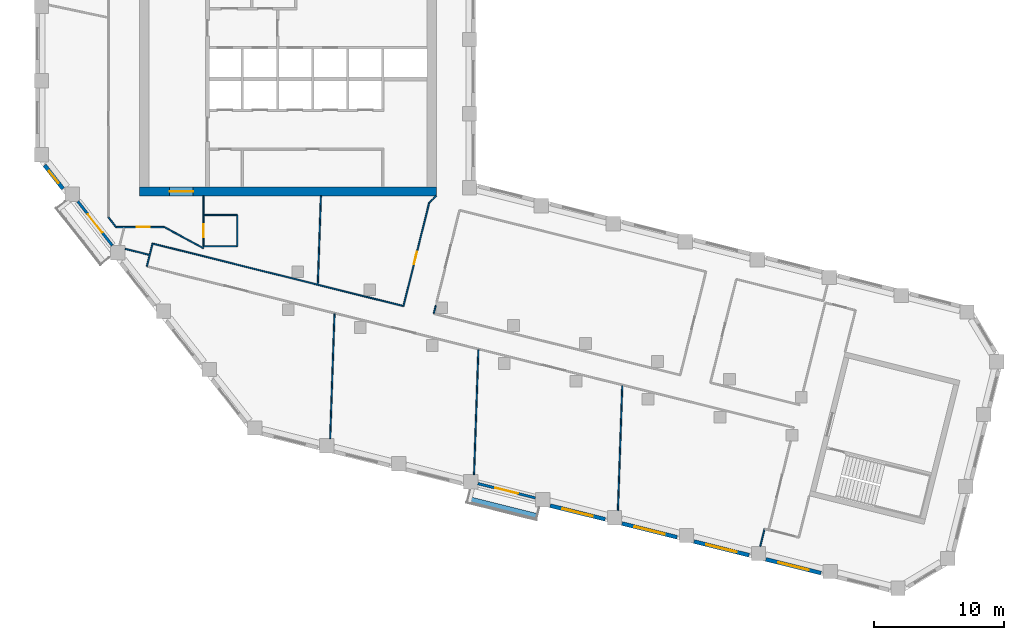
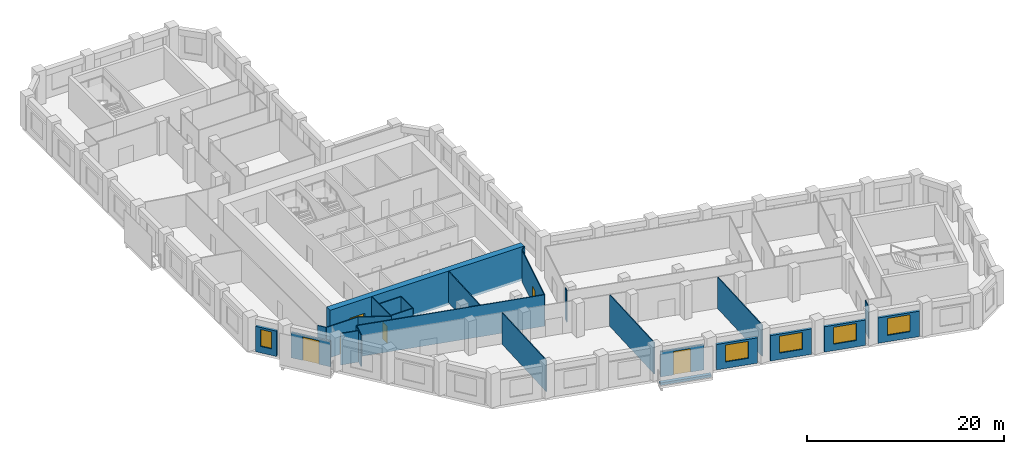
# One storey, part 3 of 10: 27 walls, 6 doors, 5 windows, 11 openings.
"""IFC4 building model written with IfcOpenShell, lengths in metres."""

from ifc_helpers import new_model, si_unit, direction, frame, frame_2d, origin, place, context, subcontext, project, spatial, rectangle, extrude, material, layer, layer_set, type_object, element, fill, save


model = new_model("IFC4")

# Units and contexts
model_context = context("Model", 3, precision=1e-05, world=origin(), true_north=direction((0.0, 1.0)))
body_context = subcontext(model_context, "Body", "Model", "MODEL_VIEW")
ifc_project = project(units=[si_unit("LENGTHUNIT", "METRE"), si_unit("AREAUNIT", "SQUARE_METRE"), si_unit("VOLUMEUNIT", "CUBIC_METRE"), si_unit("PLANEANGLEUNIT", "RADIAN"), si_unit("MASSUNIT", "GRAM", prefix="KILO")], contexts=[model_context])

# Site, building, storey
site_placement = place(None, origin())
site = spatial("IfcSite", under=ifc_project, at=site_placement, CompositionType="ELEMENT")
building_placement = place(site_placement, origin())
building = spatial("IfcBuilding", under=site, at=building_placement, Name="Meshkara Civic Tower", CompositionType="ELEMENT")
storey_placement = place(building_placement, frame((0.0, 0.0, 255.0)))
storey = spatial("IfcBuildingStorey", under=building, at=storey_placement, Name="L58", CompositionType="ELEMENT", Elevation=255.0)

# Wall, opening, door
ifc_material_1 = material(Name="Concrete C60", Category="concrete")
ifc_layer_1 = layer(ifc_material_1, 0.699951171875)
ifc_layer_set_1 = layer_set([ifc_layer_1], Name="Core ring wall 700 C60")
wall_type_1 = type_object("IfcWallType", Name="Core ring wall 700 C60", PredefinedType="SHEAR", material=ifc_layer_set_1)
wall_1_placement = place(storey_placement, frame((8.0, 14.449951171875, -0.300048828125), z_axis=(0.0, 0.0, 1.0), x_axis=(1.0, 0.0, 0.0)))
wall_1 = element("IfcWall", 1, at=wall_1_placement, inside=storey, type_object=wall_type_1, Name="L58-C001", PredefinedType="SHEAR", context=body_context, shape_type="SweptSolid", body=[
    extrude(rectangle(XDim=22.800048828125, YDim=0.699951171875, at=frame_2d((11.39990234375, 0.0))), origin(), (0.0, 0.0, 1.0), 4.199951171875),
])
opening_1_placement = place(wall_1_placement, frame((2.300048828125, 0.0, 0.300048828125)))
opening_1 = element("IfcOpeningElement", 2, at=opening_1_placement, cuts=wall_1, Name="Opening L58-K021", PredefinedType="OPENING", context=body_context, shape_type="SweptSolid", body=[
    extrude(rectangle(XDim=1.800048828125, YDim=2.10009765625, at=frame_2d((0.89990234375, 1.050048828125))), frame((0.0, 0.35986328125, 0.0), z_axis=(0.0, -1.0, 0.0), x_axis=(1.0, 0.0, 0.0)), (0.0, 0.0, 1.0), 0.719970703125),
])
ifc_material_2 = material(Name="Fire-rated door leaf in steel frame", Category="steel")
door_type_1 = type_object("IfcDoorType", Name="Core double door 1800 EI 60", OperationType="DOUBLE_DOOR_SINGLE_SWING", PredefinedType="DOOR", material=ifc_material_2)
door_1_placement = place(opening_1_placement, origin())
door_1 = element("IfcDoor", 3, at=door_1_placement, inside=storey, type_object=door_type_1, Name="L58-K021", OperationType="DOUBLE_DOOR_SINGLE_SWING", OverallHeight=2.10009765625, OverallWidth=1.800048828125, PredefinedType="DOOR", context=body_context, shape_type="SweptSolid", body=[
    extrude(rectangle(XDim=1.800048828125, YDim=2.10009765625, at=frame_2d((0.89990234375, 1.050048828125))), frame((0.0, 0.02490234375, 0.0), z_axis=(0.0, -1.0, 0.0), x_axis=(1.0, 0.0, 0.0)), (0.0, 0.0, 1.0), 0.050048828125),
])
fill(opening_1, door_1)

# Wall
ifc_material_3 = material(Name="Corridor wall 100")
ifc_layer_2 = layer(ifc_material_3, 0.10009765625)
ifc_layer_set_2 = layer_set([ifc_layer_2], Name="Corridor wall 100")
wall_type_2 = type_object("IfcWallType", Name="Corridor wall 100", PredefinedType="PARTITIONING", material=ifc_layer_set_2)
wall_2_placement = place(storey_placement, frame((5.60009765625, 12.449951171875, 0.0), z_axis=(0.0, 0.0, 1.0), x_axis=(0.615644041972, -0.788024373725, 0.0)))
element("IfcWall", 4, at=wall_2_placement, inside=storey, type_object=wall_type_2, Name="L58-W003", PredefinedType="PARTITIONING", context=body_context, shape_type="SweptSolid", body=[
    extrude(rectangle(XDim=0.95166015625, YDim=0.10009765625, at=frame_2d((0.475830078125, 0.0))), origin(), (0.0, 0.0, 1.0), 3.89990234375),
])

# Wall, opening, door
wall_3_placement = place(storey_placement, frame((6.18603515625, 11.699951171875, 0.0), z_axis=(0.0, 0.0, 1.0), x_axis=(1.0, 0.0, 0.0)))
wall_3 = element("IfcWall", 5, at=wall_3_placement, inside=storey, type_object=wall_type_2, Name="L58-W006", PredefinedType="PARTITIONING", context=body_context, shape_type="SweptSolid", body=[
    extrude(rectangle(XDim=3.7138671875, YDim=0.10009765625, at=frame_2d((1.85693359375, 0.0))), origin(), (0.0, 0.0, 1.0), 3.89990234375),
])
opening_2_placement = place(wall_3_placement, frame((1.591064453125, 0.0, 0.0)))
opening_2 = element("IfcOpeningElement", 6, at=opening_2_placement, cuts=wall_3, Name="Opening L58-D008", PredefinedType="OPENING", context=body_context, shape_type="SweptSolid", body=[
    extrude(rectangle(XDim=1.0, YDim=2.10009765625, at=frame_2d((0.5, 1.050048828125))), frame((0.0, 0.06005859375, 0.0), z_axis=(0.0, -1.0, 0.0), x_axis=(1.0, 0.0, 0.0)), (0.0, 0.0, 1.0), 0.1201171875),
])
ifc_material_4 = material(Name="Door 1000 x 2100")
door_type_2 = type_object("IfcDoorType", Name="Door 1000 x 2100", OperationType="SINGLE_SWING_LEFT", PredefinedType="DOOR", material=ifc_material_4)
door_2_placement = place(opening_2_placement, origin())
door_2 = element("IfcDoor", 7, at=door_2_placement, inside=storey, type_object=door_type_2, Name="L58-D008", OperationType="SINGLE_SWING_RIGHT", OverallHeight=2.10009765625, OverallWidth=1.0, PredefinedType="DOOR", context=body_context, shape_type="SweptSolid", body=[
    extrude(rectangle(XDim=1.0, YDim=2.10009765625, at=frame_2d((0.5, 1.050048828125))), frame((0.0, 0.02490234375, 0.0), z_axis=(0.0, -1.0, 0.0), x_axis=(1.0, 0.0, 0.0)), (0.0, 0.0, 1.0), 0.050048828125),
])
fill(opening_2, door_2)

# Walls
wall_4_placement = place(storey_placement, frame((8.988037109375, 10.43994140625, 0.0), z_axis=(0.0, 0.0, 1.0), x_axis=(0.970301223092, -0.241899848006, 0.0)))
element("IfcWall", 8, at=wall_4_placement, inside=storey, type_object=wall_type_2, Name="L58-W009", PredefinedType="PARTITIONING", context=body_context, shape_type="SweptSolid", body=[
    extrude(rectangle(XDim=19.87939453125, YDim=0.10009765625, at=frame_2d((9.939697265625, 0.0))), origin(), (0.0, 0.0, 1.0), 3.89990234375),
])
wall_5_placement = place(storey_placement, frame((8.988037109375, 10.43994140625, 0.0), z_axis=(0.0, 0.0, 1.0), x_axis=(-0.242154485745, -0.970237705428, 0.0)))
element("IfcWall", 9, at=wall_5_placement, inside=storey, type_object=wall_type_2, Name="L58-W010", PredefinedType="PARTITIONING", context=body_context, shape_type="SweptSolid", body=[
    extrude(rectangle(XDim=1.80859375, YDim=0.10009765625, at=frame_2d((0.904296875, 0.0))), origin(), (0.0, 0.0, 1.0), 3.89990234375),
])
wall_6_placement = place(storey_placement, frame((9.89990234375, 11.699951171875, 0.0), z_axis=(0.0, 0.0, 1.0), x_axis=(0.87965147249, -0.475618846291, 0.0)))
element("IfcWall", 10, at=wall_6_placement, inside=storey, type_object=wall_type_2, Name="L58-W011", PredefinedType="PARTITIONING", context=body_context, shape_type="SweptSolid", body=[
    extrude(rectangle(XDim=3.410400390625, YDim=0.10009765625, at=frame_2d((1.705078125, 0.0))), origin(), (0.0, 0.0, 1.0), 3.89990234375),
])

# Wall, opening, door
wall_7_placement = place(storey_placement, frame((12.89990234375, 10.22802734375, 0.0), z_axis=(0.0, 0.0, 1.0), x_axis=(0.0, 1.0, 0.0)))
wall_7 = element("IfcWall", 11, at=wall_7_placement, inside=storey, type_object=wall_type_2, Name="L58-W016", PredefinedType="PARTITIONING", context=body_context, shape_type="SweptSolid", body=[
    extrude(rectangle(XDim=3.8720703125, YDim=0.10009765625, at=frame_2d((1.93603515625, 0.0))), origin(), (0.0, 0.0, 1.0), 3.89990234375),
])
opening_3_placement = place(wall_7_placement, frame((0.679931640625, 0.0, 0.0)))
opening_3 = element("IfcOpeningElement", 12, at=opening_3_placement, cuts=wall_7, Name="Opening L58-D009", PredefinedType="OPENING", context=body_context, shape_type="SweptSolid", body=[
    extrude(rectangle(XDim=1.0, YDim=2.10009765625, at=frame_2d((0.5, 1.050048828125))), frame((0.0, 0.06005859375, 0.0), z_axis=(0.0, -1.0, 0.0), x_axis=(1.0, 0.0, 0.0)), (0.0, 0.0, 1.0), 0.1201171875),
])
door_3_placement = place(opening_3_placement, origin())
door_3 = element("IfcDoor", 13, at=door_3_placement, inside=storey, type_object=door_type_2, Name="L58-D009", OperationType="SINGLE_SWING_RIGHT", OverallHeight=2.10009765625, OverallWidth=1.0, PredefinedType="DOOR", context=body_context, shape_type="SweptSolid", body=[
    extrude(rectangle(XDim=1.0, YDim=2.10009765625, at=frame_2d((0.5, 1.050048828125))), frame((0.0, 0.02490234375, 0.0), z_axis=(0.0, -1.0, 0.0), x_axis=(1.0, 0.0, 0.0)), (0.0, 0.0, 1.0), 0.050048828125),
])
fill(opening_3, door_3)

wall_8_placement = place(storey_placement, frame((30.259033203125, 13.5830078125, 0.0), z_axis=(0.0, 0.0, 1.0), x_axis=(-0.241841612879, -0.970315739479, 0.0)))
wall_8 = element("IfcWall", 14, at=wall_8_placement, inside=storey, type_object=wall_type_2, Name="L58-W026", PredefinedType="PARTITIONING", context=body_context, shape_type="SweptSolid", body=[
    extrude(rectangle(XDim=8.195068359375, YDim=0.10009765625, at=frame_2d((4.09765625, 0.0))), origin(), (0.0, 0.0, 1.0), 3.89990234375),
])
opening_4_placement = place(wall_8_placement, frame((3.8798828125, 0.0, 0.0)))
opening_4 = element("IfcOpeningElement", 15, at=opening_4_placement, cuts=wall_8, Name="Opening L58-D011", PredefinedType="OPENING", context=body_context, shape_type="SweptSolid", body=[
    extrude(rectangle(XDim=1.0, YDim=2.10009765625, at=frame_2d((0.5, 1.050048828125))), frame((0.0, 0.06005859375, 0.0), z_axis=(0.0, -1.0, 0.0), x_axis=(1.0, 0.0, 0.0)), (0.0, 0.0, 1.0), 0.1201171875),
])
door_4_placement = place(opening_4_placement, origin())
door_4 = element("IfcDoor", 16, at=door_4_placement, inside=storey, type_object=door_type_2, Name="L58-D011", OperationType="SINGLE_SWING_LEFT", OverallHeight=2.10009765625, OverallWidth=1.0, PredefinedType="DOOR", context=body_context, shape_type="SweptSolid", body=[
    extrude(rectangle(XDim=1.0, YDim=2.10009765625, at=frame_2d((0.5, 1.050048828125))), frame((0.0, 0.02490234375, 0.0), z_axis=(0.0, -1.0, 0.0), x_axis=(1.0, 0.0, 0.0)), (0.0, 0.0, 1.0), 0.050048828125),
])
fill(opening_4, door_4)

# Walls
wall_9_placement = place(storey_placement, frame((30.60498046875, 5.050048828125, 0.0), z_axis=(0.0, 0.0, 1.0), x_axis=(0.241823201882, 0.970320328052, 0.0)))
element("IfcWall", 17, at=wall_9_placement, inside=storey, type_object=wall_type_2, Name="L58-W027", PredefinedType="PARTITIONING", context=body_context, shape_type="SweptSolid", body=[
    extrude(rectangle(XDim=0.64501953125, YDim=0.10009765625, at=frame_2d((0.322509765625, 0.0))), origin(), (0.0, 0.0, 1.0), 3.89990234375),
])
wall_10_placement = place(storey_placement, frame((30.800048828125, 14.10009765625, 0.0), z_axis=(0.0, 0.0, 1.0), x_axis=(-0.722911025189, -0.690941133281, 0.0)))
element("IfcWall", 18, at=wall_10_placement, inside=storey, type_object=wall_type_2, Name="L58-W028", PredefinedType="PARTITIONING", context=body_context, shape_type="SweptSolid", body=[
    extrude(rectangle(XDim=0.748291015625, YDim=0.10009765625, at=frame_2d((0.3740234375, 0.0))), origin(), (0.0, 0.0, 1.0), 3.89990234375),
])

# Wall, opening, window
ifc_material_5 = material(Name="Insulated infill panel with bronze anodised aluminium cladding", Category="aluminium")
ifc_layer_3 = layer(ifc_material_5, 0.300048828125)
ifc_layer_set_3 = layer_set([ifc_layer_3], Name="EXTERNAL INFILL WALL 300")
wall_type_3 = type_object("IfcWallType", Name="EXTERNAL INFILL WALL 300", PredefinedType="SOLIDWALL", material=ifc_layer_set_3)
wall_11_placement = place(storey_placement, frame((0.68896484375, 16.4619140625, 0.0), z_axis=(0.0, 0.0, 1.0), x_axis=(0.615625465473, -0.788038886262, 0.0)))
wall_11 = element("IfcWall", 19, at=wall_11_placement, inside=storey, type_object=wall_type_3, Name="External wall", PredefinedType="SOLIDWALL", context=body_context, shape_type="SweptSolid", body=[
    extrude(rectangle(XDim=2.29541015625, YDim=0.300048828125, at=frame_2d((1.147705078125, 0.0))), origin(), (0.0, 0.0, 1.0), 3.14990234375),
])
opening_5_placement = place(wall_11_placement, frame((0.548095703125, 0.0, 0.800048828125)))
opening_5 = element("IfcOpeningElement", 20, at=opening_5_placement, cuts=wall_11, Name="Opening W3", PredefinedType="OPENING", context=body_context, shape_type="SweptSolid", body=[
    extrude(rectangle(XDim=1.199951171875, YDim=2.10009765625, at=frame_2d((0.60009765625, 1.050048828125))), frame((0.0, 0.159912109375, 0.0), z_axis=(0.0, -1.0, 0.0), x_axis=(1.0, 0.0, 0.0)), (0.0, 0.0, 1.0), 0.320068359375),
])
ifc_material_6 = material(Name="Tinted double glazing", Category="glass")
window_type_1 = type_object("IfcWindowType", Name="WINDOW 1200x2100", PartitioningType="SINGLE_PANEL", PredefinedType="WINDOW", material=ifc_material_6)
window_1_placement = place(opening_5_placement, origin())
window_1 = element("IfcWindow", 21, at=window_1_placement, inside=storey, type_object=window_type_1, Name="Window", OverallHeight=2.10009765625, OverallWidth=1.199951171875, PartitioningType="SINGLE_PANEL", PredefinedType="WINDOW", context=body_context, shape_type="SweptSolid", body=[
    extrude(rectangle(XDim=1.199951171875, YDim=2.10009765625, at=frame_2d((0.60009765625, 1.050048828125))), frame((0.0, 0.030029296875, 0.0), z_axis=(0.0, -1.0, 0.0), x_axis=(1.0, 0.0, 0.0)), (0.0, 0.0, 1.0), 0.06005859375),
])
fill(opening_5, window_1)

wall_12_placement = place(storey_placement, frame((39.548095703125, -9.7060546875, 0.0), z_axis=(0.0, 0.0, 1.0), x_axis=(0.970319847058, -0.241825131873, 0.0)))
wall_12 = element("IfcWall", 22, at=wall_12_placement, inside=storey, type_object=wall_type_3, Name="External wall", PredefinedType="SOLIDWALL", context=body_context, shape_type="SweptSolid", body=[
    extrude(rectangle(XDim=4.366455078125, YDim=0.300048828125, at=frame_2d((2.18310546875, 0.0))), origin(), (0.0, 0.0, 1.0), 3.14990234375),
])
opening_6_placement = place(wall_12_placement, frame((0.98291015625, 0.0, 0.800048828125)))
opening_6 = element("IfcOpeningElement", 23, at=opening_6_placement, cuts=wall_12, Name="Opening W7", PredefinedType="OPENING", context=body_context, shape_type="SweptSolid", body=[
    extrude(rectangle(XDim=2.39990234375, YDim=2.10009765625, at=frame_2d((1.199951171875, 1.050048828125))), frame((0.0, 0.159912109375, 0.0), z_axis=(0.0, -1.0, 0.0), x_axis=(1.0, 0.0, 0.0)), (0.0, 0.0, 1.0), 0.320068359375),
])
ifc_material_7 = material(Name="Tinted double glazing", Category="glass")
window_type_2 = type_object("IfcWindowType", Name="WINDOW 2400x2100", PartitioningType="DOUBLE_PANEL_VERTICAL", PredefinedType="WINDOW", material=ifc_material_7)
window_2_placement = place(opening_6_placement, origin())
window_2 = element("IfcWindow", 24, at=window_2_placement, inside=storey, type_object=window_type_2, Name="Window", OverallHeight=2.10009765625, OverallWidth=2.39990234375, PartitioningType="DOUBLE_PANEL_VERTICAL", PredefinedType="WINDOW", context=body_context, shape_type="SweptSolid", body=[
    extrude(rectangle(XDim=2.39990234375, YDim=2.10009765625, at=frame_2d((1.199951171875, 1.050048828125))), frame((0.0, 0.030029296875, 0.0), z_axis=(0.0, -1.0, 0.0), x_axis=(1.0, 0.0, 0.0)), (0.0, 0.0, 1.0), 0.06005859375),
])
fill(opening_6, window_2)

wall_13_placement = place(storey_placement, frame((45.0791015625, -11.0849609375, 0.0), z_axis=(0.0, 0.0, 1.0), x_axis=(0.970293636985, -0.241930275135, 0.0)))
wall_13 = element("IfcWall", 25, at=wall_13_placement, inside=storey, type_object=wall_type_3, Name="External wall", PredefinedType="SOLIDWALL", context=body_context, shape_type="SweptSolid", body=[
    extrude(rectangle(XDim=4.365478515625, YDim=0.300048828125, at=frame_2d((2.1826171875, 0.0))), origin(), (0.0, 0.0, 1.0), 3.14990234375),
])
opening_7_placement = place(wall_13_placement, frame((0.98291015625, 0.0, 0.800048828125)))
opening_7 = element("IfcOpeningElement", 26, at=opening_7_placement, cuts=wall_13, Name="Opening W7", PredefinedType="OPENING", context=body_context, shape_type="SweptSolid", body=[
    extrude(rectangle(XDim=2.39990234375, YDim=2.10009765625, at=frame_2d((1.199951171875, 1.050048828125))), frame((0.0, 0.159912109375, 0.0), z_axis=(0.0, -1.0, 0.0), x_axis=(1.0, 0.0, 0.0)), (0.0, 0.0, 1.0), 0.320068359375),
])
window_3_placement = place(opening_7_placement, origin())
window_3 = element("IfcWindow", 27, at=window_3_placement, inside=storey, type_object=window_type_2, Name="Window", OverallHeight=2.10009765625, OverallWidth=2.39990234375, PartitioningType="DOUBLE_PANEL_VERTICAL", PredefinedType="WINDOW", context=body_context, shape_type="SweptSolid", body=[
    extrude(rectangle(XDim=2.39990234375, YDim=2.10009765625, at=frame_2d((1.199951171875, 1.050048828125))), frame((0.0, 0.030029296875, 0.0), z_axis=(0.0, -1.0, 0.0), x_axis=(1.0, 0.0, 0.0)), (0.0, 0.0, 1.0), 0.06005859375),
])
fill(opening_7, window_3)

wall_14_placement = place(storey_placement, frame((50.60888671875, -12.462890625, 0.0), z_axis=(0.0, 0.0, 1.0), x_axis=(0.970257492536, -0.242075191166, 0.0)))
wall_14 = element("IfcWall", 28, at=wall_14_placement, inside=storey, type_object=wall_type_3, Name="External wall", PredefinedType="SOLIDWALL", context=body_context, shape_type="SweptSolid", body=[
    extrude(rectangle(XDim=4.366943359375, YDim=0.300048828125, at=frame_2d((2.18359375, 0.0))), origin(), (0.0, 0.0, 1.0), 3.14990234375),
])
opening_8_placement = place(wall_14_placement, frame((0.98291015625, 0.0, 0.800048828125)))
opening_8 = element("IfcOpeningElement", 29, at=opening_8_placement, cuts=wall_14, Name="Opening W7", PredefinedType="OPENING", context=body_context, shape_type="SweptSolid", body=[
    extrude(rectangle(XDim=2.39990234375, YDim=2.10009765625, at=frame_2d((1.199951171875, 1.050048828125))), frame((0.0, 0.159912109375, 0.0), z_axis=(0.0, -1.0, 0.0), x_axis=(1.0, 0.0, 0.0)), (0.0, 0.0, 1.0), 0.320068359375),
])
window_4_placement = place(opening_8_placement, origin())
window_4 = element("IfcWindow", 30, at=window_4_placement, inside=storey, type_object=window_type_2, Name="Window", OverallHeight=2.10009765625, OverallWidth=2.39990234375, PartitioningType="DOUBLE_PANEL_VERTICAL", PredefinedType="WINDOW", context=body_context, shape_type="SweptSolid", body=[
    extrude(rectangle(XDim=2.39990234375, YDim=2.10009765625, at=frame_2d((1.199951171875, 1.050048828125))), frame((0.0, 0.030029296875, 0.0), z_axis=(0.0, -1.0, 0.0), x_axis=(1.0, 0.0, 0.0)), (0.0, 0.0, 1.0), 0.06005859375),
])
fill(opening_8, window_4)

wall_15_placement = place(storey_placement, frame((56.139892578125, -13.842041015625, 0.0), z_axis=(0.0, 0.0, 1.0), x_axis=(0.970270622343, -0.24202255973, 0.0)))
wall_15 = element("IfcWall", 31, at=wall_15_placement, inside=storey, type_object=wall_type_3, Name="External wall", PredefinedType="SOLIDWALL", context=body_context, shape_type="SweptSolid", body=[
    extrude(rectangle(XDim=4.366943359375, YDim=0.300048828125, at=frame_2d((2.18359375, 0.0))), origin(), (0.0, 0.0, 1.0), 3.14990234375),
])
opening_9_placement = place(wall_15_placement, frame((0.98291015625, 0.0, 0.800048828125)))
opening_9 = element("IfcOpeningElement", 32, at=opening_9_placement, cuts=wall_15, Name="Opening W7", PredefinedType="OPENING", context=body_context, shape_type="SweptSolid", body=[
    extrude(rectangle(XDim=2.39990234375, YDim=2.10009765625, at=frame_2d((1.199951171875, 1.050048828125))), frame((0.0, 0.159912109375, 0.0), z_axis=(0.0, -1.0, 0.0), x_axis=(1.0, 0.0, 0.0)), (0.0, 0.0, 1.0), 0.320068359375),
])
window_5_placement = place(opening_9_placement, origin())
window_5 = element("IfcWindow", 33, at=window_5_placement, inside=storey, type_object=window_type_2, Name="Window", OverallHeight=2.10009765625, OverallWidth=2.39990234375, PartitioningType="DOUBLE_PANEL_VERTICAL", PredefinedType="WINDOW", context=body_context, shape_type="SweptSolid", body=[
    extrude(rectangle(XDim=2.39990234375, YDim=2.10009765625, at=frame_2d((1.199951171875, 1.050048828125))), frame((0.0, 0.030029296875, 0.0), z_axis=(0.0, -1.0, 0.0), x_axis=(1.0, 0.0, 0.0)), (0.0, 0.0, 1.0), 0.06005859375),
])
fill(opening_9, window_5)

# Wall, opening, door
ifc_material_8 = material(Name="Insulated infill panel with bronze anodised aluminium cladding", Category="aluminium")
ifc_layer_4 = layer(ifc_material_8, 0.199951171875)
ifc_layer_set_4 = layer_set([ifc_layer_4], Name="LOGGIA BACK WALL 200")
wall_type_4 = type_object("IfcWallType", Name="LOGGIA BACK WALL 200", PredefinedType="SOLIDWALL", material=ifc_layer_set_4)
wall_16_placement = place(storey_placement, frame((3.243896484375, 13.678955078125, 0.0), z_axis=(0.0, 0.0, 1.0), x_axis=(0.615682564618, -0.787994276392, 0.0)))
wall_16 = element("IfcWall", 34, at=wall_16_placement, inside=storey, type_object=wall_type_4, Name="Loggia wall", PredefinedType="SOLIDWALL", context=body_context, shape_type="SweptSolid", body=[
    extrude(rectangle(XDim=4.304443359375, YDim=0.199951171875, at=frame_2d((2.15234375, 0.0))), origin(), (0.0, 0.0, 1.0), 3.14990234375),
])
opening_10_placement = place(wall_16_placement, frame((1.251953125, 0.0, 0.0)))
opening_10 = element("IfcOpeningElement", 35, at=opening_10_placement, cuts=wall_16, Name="Opening L58-L002", PredefinedType="OPENING", context=body_context, shape_type="SweptSolid", body=[
    extrude(rectangle(XDim=1.800048828125, YDim=2.89990234375, at=frame_2d((0.89990234375, 1.449951171875))), frame((0.0, 0.10986328125, 0.0), z_axis=(0.0, -1.0, 0.0), x_axis=(1.0, 0.0, 0.0)), (0.0, 0.0, 1.0), 0.219970703125),
])
ifc_material_9 = material(Name="Tinted double glazing", Category="glass")
door_type_3 = type_object("IfcDoorType", Name="LOGGIA DOOR 1800x2900", OperationType="DOUBLE_DOOR_SINGLE_SWING", PredefinedType="DOOR", material=ifc_material_9)
door_5_placement = place(opening_10_placement, origin())
door_5 = element("IfcDoor", 36, at=door_5_placement, inside=storey, type_object=door_type_3, Name="L58-L002", OperationType="DOUBLE_DOOR_SINGLE_SWING", OverallHeight=2.89990234375, OverallWidth=1.800048828125, PredefinedType="DOOR", context=body_context, shape_type="SweptSolid", body=[
    extrude(rectangle(XDim=1.800048828125, YDim=2.89990234375, at=frame_2d((0.89990234375, 1.449951171875))), frame((0.0, 0.02490234375, 0.0), z_axis=(0.0, -1.0, 0.0), x_axis=(1.0, 0.0, 0.0)), (0.0, 0.0, 1.0), 0.050048828125),
])
fill(opening_10, door_5)

wall_17_placement = place(storey_placement, frame((33.992919921875, -8.011962890625, 0.0), z_axis=(0.0, 0.0, 1.0), x_axis=(0.970337166083, -0.241755628927, 0.0)))
wall_17 = element("IfcWall", 37, at=wall_17_placement, inside=storey, type_object=wall_type_4, Name="Loggia wall", PredefinedType="SOLIDWALL", context=body_context, shape_type="SweptSolid", body=[
    extrude(rectangle(XDim=4.566650390625, YDim=0.199951171875, at=frame_2d((2.283203125, 0.0))), origin(), (0.0, 0.0, 1.0), 3.14990234375),
])
opening_11_placement = place(wall_17_placement, frame((1.383056640625, 0.0, 0.0)))
opening_11 = element("IfcOpeningElement", 38, at=opening_11_placement, cuts=wall_17, Name="Opening L58-L003", PredefinedType="OPENING", context=body_context, shape_type="SweptSolid", body=[
    extrude(rectangle(XDim=1.800048828125, YDim=2.89990234375, at=frame_2d((0.89990234375, 1.449951171875))), frame((0.0, 0.10986328125, 0.0), z_axis=(0.0, -1.0, 0.0), x_axis=(1.0, 0.0, 0.0)), (0.0, 0.0, 1.0), 0.219970703125),
])
door_6_placement = place(opening_11_placement, origin())
door_6 = element("IfcDoor", 39, at=door_6_placement, inside=storey, type_object=door_type_3, Name="L58-L003", OperationType="DOUBLE_DOOR_SINGLE_SWING", OverallHeight=2.89990234375, OverallWidth=1.800048828125, PredefinedType="DOOR", context=body_context, shape_type="SweptSolid", body=[
    extrude(rectangle(XDim=1.800048828125, YDim=2.89990234375, at=frame_2d((0.89990234375, 1.449951171875))), frame((0.0, 0.02490234375, 0.0), z_axis=(0.0, -1.0, 0.0), x_axis=(1.0, 0.0, 0.0)), (0.0, 0.0, 1.0), 0.050048828125),
])
fill(opening_11, door_6)

# Walls
ifc_material_10 = material(Name="Concrete C40", Category="concrete")
ifc_layer_5 = layer(ifc_material_10, 0.39990234375)
ifc_layer_set_5 = layer_set([ifc_layer_5], Name="PLANTER TRAY")
wall_type_5 = type_object("IfcWallType", Name="PLANTER TRAY", PredefinedType="SOLIDWALL", material=ifc_layer_set_5)
wall_18_placement = place(storey_placement, frame((33.285888671875, -9.2060546875, 0.0), z_axis=(0.0, 0.0, 1.0), x_axis=(0.970292345375, -0.241935455249, 0.0)))
element("IfcWall", 40, at=wall_18_placement, inside=storey, type_object=wall_type_5, Name="Planter", PredefinedType="SOLIDWALL", context=body_context, shape_type="SweptSolid", body=[
    extrude(rectangle(XDim=5.3603515625, YDim=0.39990234375, at=frame_2d((2.68017578125, 0.0))), origin(), (0.0, 0.0, 1.0), 0.300048828125),
])
ifc_material_11 = material(Name="Partition 100")
ifc_layer_6 = layer(ifc_material_11, 0.10009765625)
ifc_layer_set_6 = layer_set([ifc_layer_6], Name="Partition 100")
wall_type_6 = type_object("IfcWallType", Name="Partition 100", PredefinedType="PARTITIONING", material=ifc_layer_set_6)
wall_19_placement = place(storey_placement, frame((8.719970703125, 9.573974609375, 0.0), z_axis=(0.0, 0.0, 1.0), x_axis=(-0.970240497311, 0.242143299263, 0.0)))
element("IfcWall", 41, at=wall_19_placement, inside=storey, type_object=wall_type_6, Name="L58-W049", PredefinedType="PARTITIONING", context=body_context, shape_type="SweptSolid", body=[
    extrude(rectangle(XDim=1.903564453125, YDim=0.10009765625, at=frame_2d((0.95166015625, 0.0))), origin(), (0.0, 0.0, 1.0), 3.89990234375),
])
wall_20_placement = place(storey_placement, frame((12.949951171875, 12.6279296875, 0.0), z_axis=(0.0, 0.0, 1.0), x_axis=(1.0, 0.0, 0.0)))
element("IfcWall", 42, at=wall_20_placement, inside=storey, type_object=wall_type_6, Name="L58-W050", PredefinedType="PARTITIONING", context=body_context, shape_type="SweptSolid", body=[
    extrude(rectangle(XDim=2.550048828125, YDim=0.10009765625, at=frame_2d((1.27490234375, 0.0))), origin(), (0.0, 0.0, 1.0), 3.89990234375),
])
wall_21_placement = place(storey_placement, frame((15.5, 10.22802734375, 0.0), z_axis=(0.0, 0.0, 1.0), x_axis=(-1.0, 0.0, 0.0)))
element("IfcWall", 43, at=wall_21_placement, inside=storey, type_object=wall_type_6, Name="L58-W051", PredefinedType="PARTITIONING", context=body_context, shape_type="SweptSolid", body=[
    extrude(rectangle(XDim=2.60009765625, YDim=0.10009765625, at=frame_2d((1.300048828125, 0.0))), origin(), (0.0, 0.0, 1.0), 3.89990234375),
])
wall_22_placement = place(storey_placement, frame((15.5, 12.6279296875, 0.0), z_axis=(0.0, 0.0, 1.0), x_axis=(0.0, -1.0, 0.0)))
element("IfcWall", 44, at=wall_22_placement, inside=storey, type_object=wall_type_6, Name="L58-W052", PredefinedType="PARTITIONING", context=body_context, shape_type="SweptSolid", body=[
    extrude(rectangle(XDim=2.39990234375, YDim=0.10009765625, at=frame_2d((1.199951171875, 0.0))), origin(), (0.0, 0.0, 1.0), 3.89990234375),
])
wall_23_placement = place(storey_placement, frame((21.695068359375, 7.333984375, 0.0), z_axis=(0.0, 0.0, 1.0), x_axis=(0.034978942342, 0.999388049555, 0.0)))
element("IfcWall", 45, at=wall_23_placement, inside=storey, type_object=wall_type_6, Name="L58-W054", PredefinedType="PARTITIONING", context=body_context, shape_type="SweptSolid", body=[
    extrude(rectangle(XDim=6.770263671875, YDim=0.10009765625, at=frame_2d((3.38525390625, 0.0))), origin(), (0.0, 0.0, 1.0), 3.89990234375),
])
wall_24_placement = place(storey_placement, frame((22.64111328125, -4.56689453125, 0.0), z_axis=(0.0, 0.0, 1.0), x_axis=(0.034896781654, 0.999390921827, 0.0)))
element("IfcWall", 46, at=wall_24_placement, inside=storey, type_object=wall_type_6, Name="L58-W055", PredefinedType="PARTITIONING", context=body_context, shape_type="SweptSolid", body=[
    extrude(rectangle(XDim=9.5986328125, YDim=0.10009765625, at=frame_2d((4.79931640625, 0.0))), origin(), (0.0, 0.0, 1.0), 3.89990234375),
])
for number, where, z_axis, x_axis, name in (
    (47, (33.702880859375, -7.324951171875, 0.0), (0.0, 0.0, 1.0), (0.034823224935, 0.999393487574, 0.0), "L58-W056"),
    (48, (44.763916015625, -10.08203125, 0.0), (0.0, 0.0, 1.0), (0.034797818769, 0.999394372512, 0.0), "L58-W057"),
):
    element("IfcWall", number, at=place(storey_placement, frame(where, z_axis=z_axis, x_axis=x_axis)), inside=storey, type_object=wall_type_6, Name=name, PredefinedType="PARTITIONING", context=body_context, shape_type="SweptSolid", body=[
        extrude(rectangle(XDim=9.597900390625, YDim=0.10009765625, at=frame_2d((4.798828125, 0.0))), origin(), (0.0, 0.0, 1.0), 3.89990234375),
    ])
wall_25_placement = place(storey_placement, frame((55.702880859375, -12.840087890625, 0.0), z_axis=(0.0, 0.0, 1.0), x_axis=(0.242327978011, 0.970194388292, 0.0)))
element("IfcWall", 49, at=wall_25_placement, inside=storey, type_object=wall_type_6, Name="L58-W058", PredefinedType="PARTITIONING", context=body_context, shape_type="SweptSolid", body=[
    extrude(rectangle(XDim=1.38330078125, YDim=0.10009765625, at=frame_2d((0.691650390625, 0.0))), origin(), (0.0, 0.0, 1.0), 3.89990234375),
])

save(model, "model.ifc")
